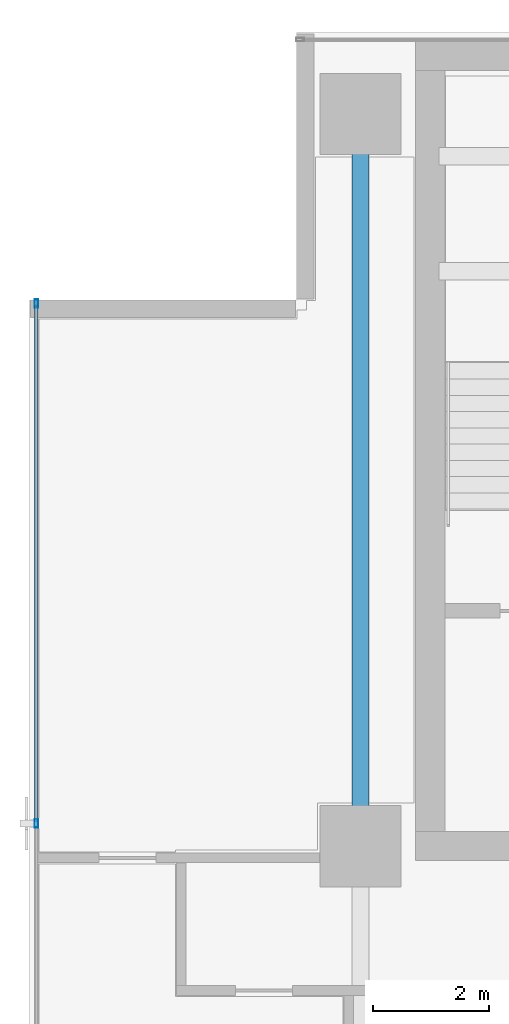
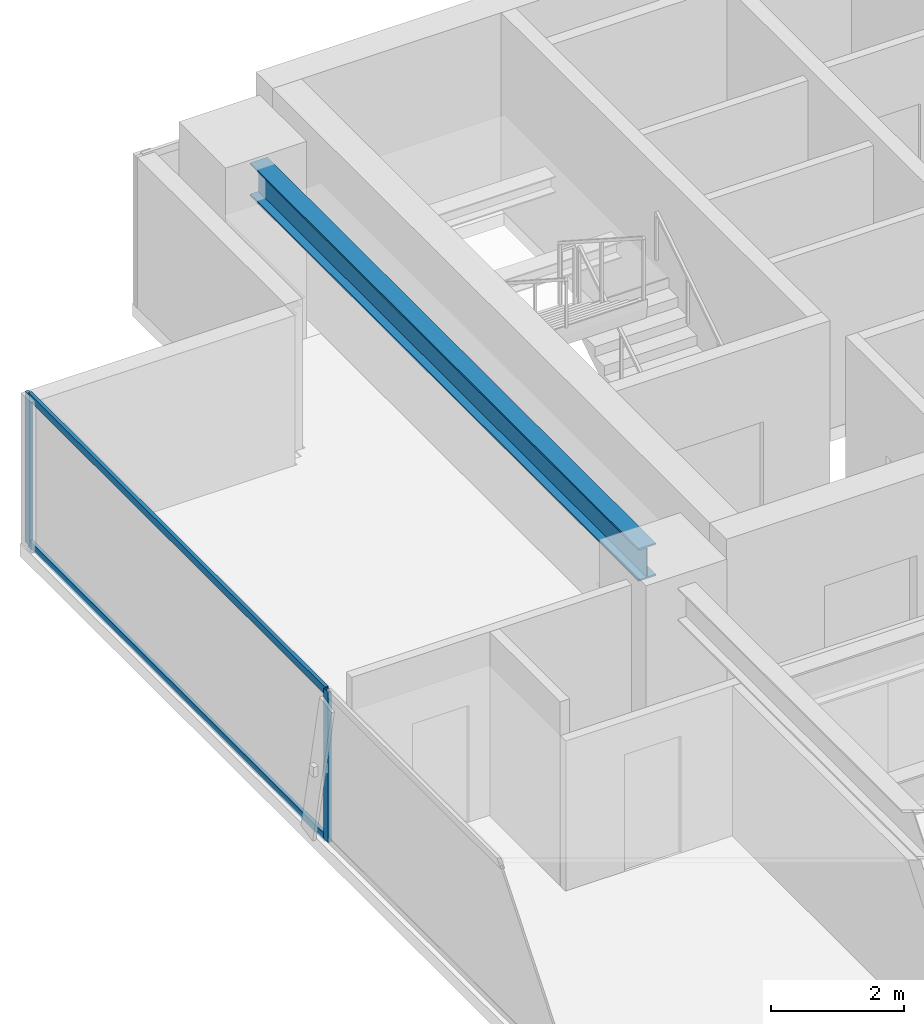
# One storey, part 9 of 27: 4 members, 1 beam, 1 element without a shape of its own.
"""IFC4 building model written with IfcOpenShell, lengths in metres."""

import ifcopenshell
import ifcopenshell.guid

model = None  # the IFC model being written
_history = None  # IfcOwnerHistory: only IFC2X3 demands one
_inside = {}  # id of a spatial element -> (the spatial element, [elements in it])
_under = {}  # id of a project, library or spatial element -> (it, [spatial elements below it])
_declared = {}  # id of a project -> (the project, [libraries it declares])
_typed = {}  # id of a type object -> (the type object, [elements of that type])
_made_of = {}  # id of a material, layer set ... -> (it, [elements and type objects made of it])


def new_model(schema):
    """Start an empty IFC model of exactly this schema.

    Asked for "IFC4X3", IfcOpenShell would pick the latest addendum, in which some entities
    have other attributes; the version numbers below select the first issue.
    IFC2X3 requires an IfcOwnerHistory on every rooted entity: one is made here for all.
    """
    global model, _history
    if schema == "IFC4X3":
        model = ifcopenshell.file(schema_version=(4, 3, 0, 0))
    else:
        model = ifcopenshell.file(schema=schema)
    _inside.clear()
    _under.clear()
    _declared.clear()
    _typed.clear()
    _made_of.clear()
    _history = None
    if model.schema == "IFC2X3":
        org = make("IfcOrganization", Name="unknown")
        user = make(
            "IfcPersonAndOrganization",
            ThePerson=make("IfcPerson", FamilyName="unknown"),
            TheOrganization=org,
        )
        app = make(
            "IfcApplication",
            ApplicationDeveloper=org,
            Version="unknown",
            ApplicationFullName="unknown",
            ApplicationIdentifier="unknown",
        )
        _history = make(
            "IfcOwnerHistory",
            OwningUser=user,
            OwningApplication=app,
            ChangeAction="ADDED",
            CreationDate=0,
        )
    return model


def make(cls, **values):
    """One entity of the class cls with the attributes given. An attribute that is None is left unset."""
    return model.create_entity(
        cls, **{name: value for name, value in values.items() if value is not None}
    )


def rooted(cls, **values):
    """An entity with a GlobalId (a new one), such as an element, a storey or a relation."""
    return make(cls, GlobalId=ifcopenshell.guid.new(), OwnerHistory=_history, **values)


def si_unit(unit_type, name, prefix=None):
    """IfcSIUnit, for example si_unit("LENGTHUNIT", "METRE", prefix="MILLI")."""
    return make("IfcSIUnit", UnitType=unit_type, Prefix=prefix, Name=name)


def assignment(units):
    """IfcUnitAssignment: the units of a project."""
    return None if units is None else make("IfcUnitAssignment", Units=units)


def point(xyz):
    """IfcCartesianPoint."""
    return None if xyz is None else make("IfcCartesianPoint", Coordinates=xyz)


def direction(xyz):
    """IfcDirection."""
    return None if xyz is None else make("IfcDirection", DirectionRatios=xyz)


def frame(location, z_axis=None, x_axis=None):
    """IfcAxis2Placement3D, a coordinate frame: its origin and axes. An axis left out is left unset."""
    return make(
        "IfcAxis2Placement3D",
        Location=point(location),
        Axis=direction(z_axis),
        RefDirection=direction(x_axis),
    )


def frame_2d(location, x_axis=None):
    """IfcAxis2Placement2D, a coordinate frame in the plane: its origin and x axis."""
    return make(
        "IfcAxis2Placement2D", Location=point(location), RefDirection=direction(x_axis)
    )


def origin():
    """The frame at (0, 0, 0) with its axes left unset."""
    return frame((0.0, 0.0, 0.0))


def origin_2d():
    """The frame at (0, 0) in the plane with its x axis left unset."""
    return frame_2d((0.0, 0.0))


def place(relative_to, where):
    """IfcLocalPlacement: puts the frame where relative to a parent placement (None: the world)."""
    return make(
        "IfcLocalPlacement", PlacementRelTo=relative_to, RelativePlacement=where
    )


def context(
    kind, dimensions, precision=None, world=None, true_north=None, identifier=None
):
    """IfcGeometricRepresentationContext, for example the 3D "Model" context."""
    return make(
        "IfcGeometricRepresentationContext",
        ContextIdentifier=identifier,
        ContextType=kind,
        CoordinateSpaceDimension=dimensions,
        Precision=precision,
        WorldCoordinateSystem=world,
        TrueNorth=true_north,
    )


def subcontext(parent, identifier, kind, view, scale=None):
    """IfcGeometricRepresentationSubContext, for example "Body" below "Model"."""
    return make(
        "IfcGeometricRepresentationSubContext",
        ContextIdentifier=identifier,
        ContextType=kind,
        ParentContext=parent,
        TargetScale=scale,
        TargetView=view,
    )


def project(units=None, contexts=None):
    """IfcProject with its units and contexts."""
    return rooted(
        "IfcProject",
        Name="project",
        RepresentationContexts=contexts,
        UnitsInContext=assignment(units),
    )


def spatial(cls, under=None, at=None, **own):
    """A site, building, storey or space (cls), placed at a placement, below another one or the project."""
    s = rooted(cls, ObjectPlacement=at, **own)
    if under is not None:
        _under.setdefault(under.id(), (under, []))[1].append(s)
    return s


def profile(cls, at=None, kind="AREA", **sizes):
    """A parametric profile (cls). Its sizes go by their IFC names, for example OverallWidth=200.0."""
    return make(cls, ProfileType=kind, Position=at, **sizes)


def hollow_rectangle(**sizes):
    """IfcRectangleHollowProfileDef."""
    return profile("IfcRectangleHollowProfileDef", **sizes)


def i_section(**sizes):
    """IfcIShapeProfileDef."""
    return profile("IfcIShapeProfileDef", **sizes)


def extrude(swept, where, along, depth):
    """IfcExtrudedAreaSolid: the profile swept, set in the frame where, extruded along a direction by depth."""
    return make(
        "IfcExtrudedAreaSolid",
        SweptArea=swept,
        Position=where,
        ExtrudedDirection=direction(along),
        Depth=depth,
    )


def shape(context_of_items, identifier, shape_type, items):
    """IfcShapeRepresentation: the items that make up one representation, for example the "Body"."""
    return make(
        "IfcShapeRepresentation",
        ContextOfItems=context_of_items,
        RepresentationIdentifier=identifier,
        RepresentationType=shape_type,
        Items=items,
    )


def source(mapping_origin, context_of_items, identifier, shape_type, items):
    """IfcRepresentationMap: a shape defined once, which mapped items show again and again."""
    return make(
        "IfcRepresentationMap",
        MappingOrigin=mapping_origin,
        MappedRepresentation=shape(context_of_items, identifier, shape_type, items),
    )


def transform(
    local_origin,
    x_axis=None,
    y_axis=None,
    z_axis=None,
    scale=None,
    scale2=None,
    scale3=None,
    uniform=True,
):
    """IfcCartesianTransformationOperator3D, or its non-uniform kind. x_axis, y_axis, z_axis: its Axis1, 2, 3."""
    if uniform:
        return make(
            "IfcCartesianTransformationOperator3D",
            Axis1=direction(x_axis),
            Axis2=direction(y_axis),
            LocalOrigin=point(local_origin),
            Scale=scale,
            Axis3=direction(z_axis),
        )
    return make(
        "IfcCartesianTransformationOperator3DnonUniform",
        Axis1=direction(x_axis),
        Axis2=direction(y_axis),
        LocalOrigin=point(local_origin),
        Scale=scale,
        Axis3=direction(z_axis),
        Scale2=scale2,
        Scale3=scale3,
    )


def mapped(mapping_source, mapping_target):
    """IfcMappedItem: shows the shape of a source again, moved by a transform."""
    return make(
        "IfcMappedItem", MappingSource=mapping_source, MappingTarget=mapping_target
    )


def material(Name=None, Category=None):
    """IfcMaterial."""
    return make("IfcMaterial", Name=Name, Category=Category)


def layer(
    of_material, thickness, ventilated=None, Name=None, Category=None, Priority=None
):
    """IfcMaterialLayer: one layer of a wall or slab, of a material (None: an air gap)."""
    return make(
        "IfcMaterialLayer",
        Material=of_material,
        LayerThickness=thickness,
        IsVentilated=ventilated,
        Name=Name,
        Category=Category,
        Priority=Priority,
    )


def layer_set(layers, Name=None):
    """IfcMaterialLayerSet."""
    return make("IfcMaterialLayerSet", MaterialLayers=layers, LayerSetName=Name)


def material_profile(
    of_material, cross_section, Name=None, Category=None, Priority=None
):
    """IfcMaterialProfile: a cross section and its material."""
    return make(
        "IfcMaterialProfile",
        Name=Name,
        Material=of_material,
        Profile=cross_section,
        Priority=Priority,
        Category=Category,
    )


def profile_set(profiles, Name=None, composite=None):
    """IfcMaterialProfileSet."""
    return make(
        "IfcMaterialProfileSet",
        Name=Name,
        MaterialProfiles=profiles,
        CompositeProfile=composite,
    )


def made_of(thing, what):
    """Note that an element or type object is made of a material, layer set ...; save() writes the relation."""
    if what is not None:
        _made_of.setdefault(what.id(), (what, []))[1].append(thing)
    return thing


def type_object(cls, material=None, **own):
    """A type object (cls), such as IfcWallType, which elements share."""
    return made_of(rooted(cls, **own), material)


def element(
    cls,
    number,
    at=None,
    inside=None,
    cuts=None,
    type_object=None,
    material=None,
    context=None,
    identifier="Body",
    shape_type=None,
    held_by="IfcProductDefinitionShape",
    body=None,
    shapes=None,
    **own,
):
    """One element of the class cls, such as IfcWall. Its Tag is "e" and its number.

    at: its placement. inside: the storey or other place that contains it. cuts: it is an
    opening in that element (IfcRelVoidsElement). A single representation is given by context,
    identifier, shape_type and body (its items); several are given by shapes. held_by: the class
    of the entity that holds the representations. save() writes the other relations.
    """
    e = rooted(cls, Tag="e%d" % number, ObjectPlacement=at, **own)
    if body is not None:
        shapes = [shape(context, identifier, shape_type, body)]
    if shapes is not None:
        e.Representation = make(held_by, Representations=shapes)
    if inside is not None:
        _inside.setdefault(inside.id(), (inside, []))[1].append(e)
    if cuts is not None:
        rooted(
            "IfcRelVoidsElement", RelatingBuildingElement=cuts, RelatedOpeningElement=e
        )
    if type_object is not None:
        _typed.setdefault(type_object.id(), (type_object, []))[1].append(e)
    return made_of(e, material)


def aggregate(whole, parts):
    """IfcRelAggregates: a whole, such as a stair, and the parts it consists of."""
    return rooted("IfcRelAggregates", RelatingObject=whole, RelatedObjects=parts)


def save(model, path):
    """Write the relations noted so far, then the file.

    IfcRelAggregates (storeys below a building ...), IfcRelContainedInSpatialStructure (elements
    in a storey), IfcRelDefinesByType, IfcRelAssociatesMaterial and IfcRelDeclares: one each for
    every whole, place, type object, material and project.
    """
    for whole, parts in _under.values():
        aggregate(whole, parts)
    for where, things in _inside.values():
        rooted(
            "IfcRelContainedInSpatialStructure",
            RelatedElements=things,
            RelatingStructure=where,
        )
    for kind, things in _typed.values():
        rooted("IfcRelDefinesByType", RelatedObjects=things, RelatingType=kind)
    for what, things in _made_of.values():
        rooted("IfcRelAssociatesMaterial", RelatedObjects=things, RelatingMaterial=what)
    for by, libraries in _declared.values():
        rooted("IfcRelDeclares", RelatingContext=by, RelatedDefinitions=libraries)
    model.write(path)


model = new_model("IFC4")

# Units and contexts
model_context = context("Model", 3, precision=1e-05, world=origin(), true_north=direction((0.0, 1.0)))
body_context = subcontext(model_context, "Body", "Model", "MODEL_VIEW")
ifc_project = project(units=[si_unit("LENGTHUNIT", "METRE"), si_unit("AREAUNIT", "SQUARE_METRE"), si_unit("VOLUMEUNIT", "CUBIC_METRE"), si_unit("PLANEANGLEUNIT", "RADIAN"), si_unit("MASSUNIT", "GRAM", prefix="KILO")], contexts=[model_context])

# Site, building, storey
site_placement = place(None, origin())
site = spatial("IfcSite", under=ifc_project, at=site_placement, CompositionType="ELEMENT")
building_placement = place(site_placement, origin())
building = spatial("IfcBuilding", under=site, at=building_placement, Name="Sumidabori Civic Tower", CompositionType="ELEMENT")
storey_placement = place(building_placement, frame((0.0, 0.0, 257.60009765625)))
storey = spatial("IfcBuildingStorey", under=building, at=storey_placement, Name="L67", CompositionType="ELEMENT", Elevation=257.60009765625)

# Beam
ifc_material_1 = material(Name="Steel SN490", Category="steel")
ifc_material_profile_1 = material_profile(ifc_material_1, i_section(OverallWidth=0.300048828125, OverallDepth=0.60009765625, WebThickness=0.015380859375, FlangeThickness=0.030029296875, at=origin_2d()), Name="HE 600 B")
ifc_profile_set_1 = profile_set([ifc_material_profile_1], Name="Steel SN490")
beam_type = type_object("IfcBeamType", Name="BM-GIRD-600", PredefinedType="BEAM", material=ifc_profile_set_1)
shared_shape_1 = source(origin(), body_context, "Body", "SweptSolid", [
    extrude(i_section(OverallWidth=0.300048828125, OverallDepth=0.60009765625, WebThickness=0.015380859375, FlangeThickness=0.030029296875, at=origin_2d()), origin(), (0.0, 0.0, 1.0), 11.64013671875),
])
beam_placement = place(storey_placement, frame((-16.800048828125, 10.679931640625, 3.06982421875), z_axis=(0.0, 1.0, 0.0), x_axis=(-1.0, 0.0, 0.0)))
element("IfcBeam", 1, at=beam_placement, inside=storey, type_object=beam_type, Name="Primary Girder L67 GY-11", PredefinedType="BEAM", context=body_context, shape_type="MappedRepresentation", body=[
    mapped(shared_shape_1, transform((0.0, 0.0, 0.0), x_axis=(1.0, 0.0, 0.0), y_axis=(0.0, 1.0, 0.0), z_axis=(0.0, 0.0, 1.0), scale=1.0)),
])

# Curtain wall, members
ifc_material_2 = material(Name="Anodised Bronze Aluminium AW-6063-T6", Category="aluminium")
ifc_layer = layer(ifc_material_2, 0.179931640625, Name="Anodised Bronze Aluminium AW-6063-T6")
ifc_layer_set = layer_set([ifc_layer], Name="Anodised Bronze Aluminium AW-6063-T6")
curtain_wall_type = type_object("IfcCurtainWallType", Name="CW-SYS-5", PredefinedType="NOTDEFINED", material=ifc_layer_set)
curtain_wall_placement = place(storey_placement, origin())
curtain_wall = element("IfcCurtainWall", 2, at=curtain_wall_placement, inside=storey, type_object=curtain_wall_type, Name="Curtain Wall CW:L67:R10", PredefinedType="NOTDEFINED")
ifc_material_profile_2 = material_profile(ifc_material_2, hollow_rectangle(XDim=0.06005859375, YDim=0.139892578125, WallThickness=0.0048828125, at=origin_2d()), Name="ALU MULLION 140x60")
ifc_profile_set_2 = profile_set([ifc_material_profile_2], Name="Anodised Bronze Aluminium AW-6063-T6")
member_type_1 = type_object("IfcMemberType", Name="CW-MUL-140", PredefinedType="MULLION", material=ifc_profile_set_2)
shared_shape_2 = source(origin(), body_context, "Body", "SweptSolid", [
    extrude(hollow_rectangle(XDim=0.06005859375, YDim=0.139892578125, WallThickness=0.0048828125, at=origin_2d()), origin(), (0.0, 0.0, 1.0), 2.75),
])
member_1_placement = place(storey_placement, frame((-22.3798828125, 19.5400390625, 0.0), z_axis=(0.0, 0.0, 1.0), x_axis=(1.0, 0.0, 0.0)))
member_1 = element("IfcMember", 3, at=member_1_placement, type_object=member_type_1, Name="CW-5 mullion 1", PredefinedType="MULLION", context=body_context, shape_type="MappedRepresentation", body=[
    mapped(shared_shape_2, transform((0.0, 0.0, 0.0), x_axis=(1.0, 0.0, 0.0), y_axis=(0.0, 1.0, 0.0), z_axis=(0.0, 0.0, 1.0), scale=1.0)),
])
member_2_placement = place(storey_placement, frame((-22.3798828125, 10.590087890625, 0.0), z_axis=(0.0, 0.0, 1.0), x_axis=(1.0, 0.0, 0.0)))
member_2 = element("IfcMember", 4, at=member_2_placement, type_object=member_type_1, Name="CW-5 mullion 2", PredefinedType="MULLION", context=body_context, shape_type="MappedRepresentation", body=[
    mapped(shared_shape_2, transform((0.0, 0.0, 0.0), x_axis=(1.0, 0.0, 0.0), y_axis=(0.0, 1.0, 0.0), z_axis=(0.0, 0.0, 1.0), scale=1.0)),
])
ifc_material_profile_3 = material_profile(ifc_material_2, hollow_rectangle(XDim=0.06005859375, YDim=0.1298828125, WallThickness=0.0048828125, at=origin_2d()), Name="ALU TRANSOM 130x60")
ifc_profile_set_3 = profile_set([ifc_material_profile_3], Name="Anodised Bronze Aluminium AW-6063-T6")
member_type_2 = type_object("IfcMemberType", Name="CW-TRN-130", PredefinedType="USERDEFINED", material=ifc_profile_set_3)
shared_shape_3 = source(origin(), body_context, "Body", "SweptSolid", [
    extrude(hollow_rectangle(XDim=0.06005859375, YDim=0.1298828125, WallThickness=0.0048828125, at=origin_2d()), origin(), (0.0, 0.0, 1.0), 8.889892578125),
])
member_3_placement = place(storey_placement, frame((-22.3798828125, 19.510009765625, 0.02978515625), z_axis=(0.0, -1.0, 0.0), x_axis=(1.0, 0.0, 0.0)))
member_3 = element("IfcMember", 5, at=member_3_placement, type_object=member_type_2, Name="CW-5 transom 1.1", ObjectType="TRANSOM", PredefinedType="USERDEFINED", context=body_context, shape_type="MappedRepresentation", body=[
    mapped(shared_shape_3, transform((0.0, 0.0, 0.0), x_axis=(1.0, 0.0, 0.0), y_axis=(0.0, 1.0, 0.0), z_axis=(0.0, 0.0, 1.0), scale=1.0)),
])
member_4_placement = place(storey_placement, frame((-22.3798828125, 19.510009765625, 2.719970703125), z_axis=(0.0, -1.0, 0.0), x_axis=(1.0, 0.0, 0.0)))
member_4 = element("IfcMember", 6, at=member_4_placement, type_object=member_type_2, Name="CW-5 transom 1.2", ObjectType="TRANSOM", PredefinedType="USERDEFINED", context=body_context, shape_type="MappedRepresentation", body=[
    mapped(shared_shape_3, transform((0.0, 0.0, 0.0), x_axis=(1.0, 0.0, 0.0), y_axis=(0.0, 1.0, 0.0), z_axis=(0.0, 0.0, 1.0), scale=1.0)),
])
aggregate(curtain_wall, [member_1, member_2, member_3, member_4])

save(model, "model.ifc")
